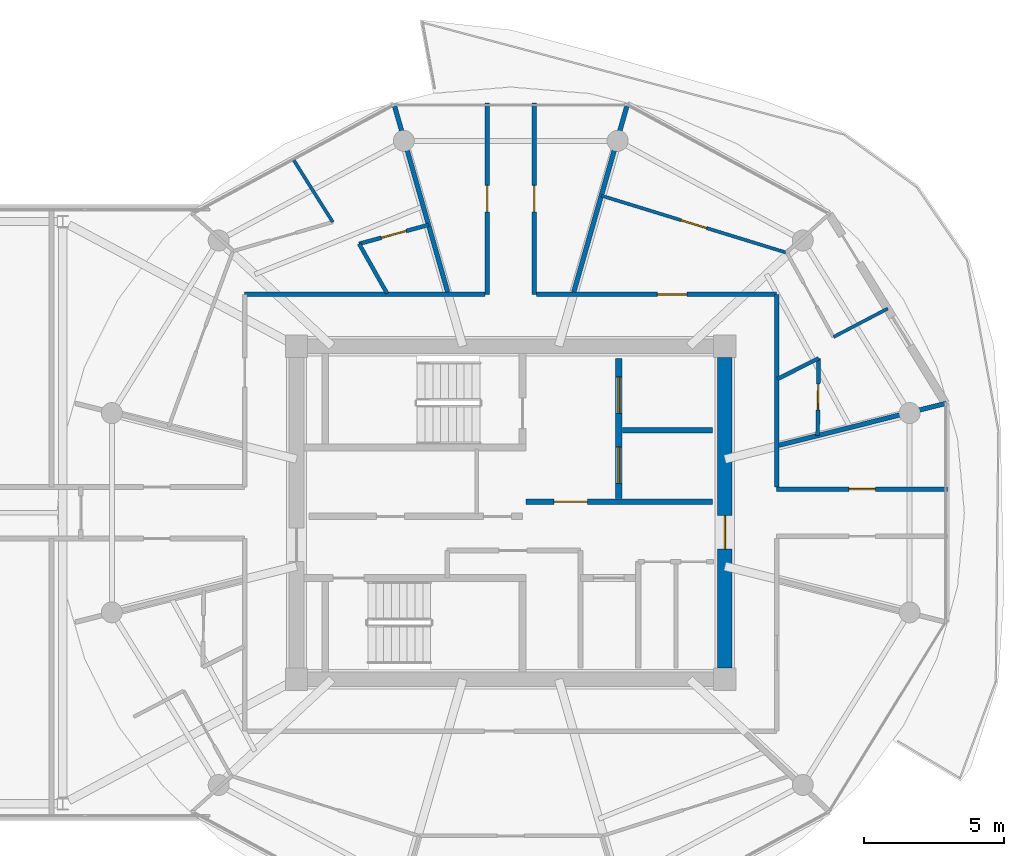
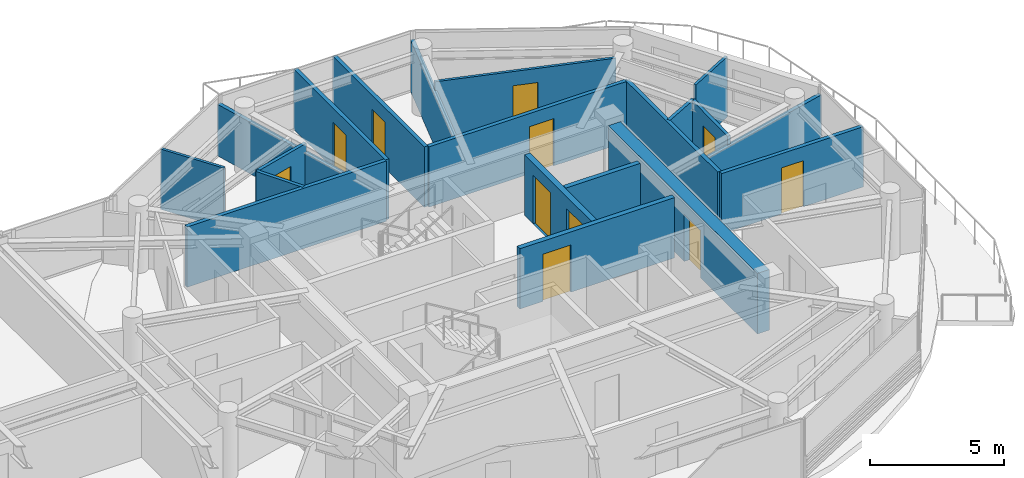
# One storey, part 18 of 24: 20 walls, 11 doors, 11 openings.
"""IFC4 building model written with IfcOpenShell, lengths in metres."""

from ifc_helpers import new_model, si_unit, direction, frame, frame_2d, origin, place, context, subcontext, project, spatial, rectangle, extrude, source, transform, mapped, material, layer, layer_set, type_object, type_shapes, element, fill, save


model = new_model("IFC4")

# Units and contexts
model_context = context("Model", 3, precision=1e-05, world=origin(), true_north=direction((0.0, 1.0)))
body_context = subcontext(model_context, "Body", "Model", "MODEL_VIEW")
ifc_project = project(units=[si_unit("LENGTHUNIT", "METRE"), si_unit("AREAUNIT", "SQUARE_METRE"), si_unit("VOLUMEUNIT", "CUBIC_METRE"), si_unit("PLANEANGLEUNIT", "RADIAN"), si_unit("MASSUNIT", "GRAM", prefix="KILO")], contexts=[model_context])

# Site, building, storey
site_placement = place(None, origin())
site = spatial("IfcSite", under=ifc_project, at=site_placement, CompositionType="ELEMENT")
building_placement = place(site_placement, origin())
building = spatial("IfcBuilding", under=site, at=building_placement, Name="Norrkilde Senior Care Towers", CompositionType="ELEMENT")
storey_placement = place(building_placement, frame((0.0, 0.0, 223.050048828125)))
storey = spatial("IfcBuildingStorey", under=building, at=storey_placement, Name="L69", CompositionType="ELEMENT", Elevation=223.050048828125)

# Wall, opening, door
ifc_material_1 = material(Name="Concrete C50/60", Category="concrete")
ifc_layer_1 = layer(ifc_material_1, 0.52001953125)
ifc_layer_set_1 = layer_set([ifc_layer_1], Name="Concrete C50/60")
wall_type_1 = type_object("IfcWallType", Name="Core Shear Wall Z4 520", PredefinedType="SHEAR", material=ifc_layer_set_1)
shared_shape_1 = source(origin(), body_context, "Body", "SweptSolid", [
    extrude(rectangle(XDim=11.10009765625, YDim=0.52001953125, at=frame_2d((5.550048828125, 0.0))), origin(), (0.0, 0.0, 1.0), 2.760009765625),
])
type_shapes(wall_type_1, [shared_shape_1])
wall_1_placement = place(storey_placement, frame((35.64990234375, 5.550048828125, 0.0), z_axis=(0.0, 0.0, 1.0), x_axis=(0.0, -1.0, 0.0)))
wall_1 = element("IfcWall", 1, at=wall_1_placement, inside=storey, type_object=wall_type_1, Name="L69 Core E East Shear Wall", PredefinedType="SHEAR", context=body_context, shape_type="MappedRepresentation", body=[
    mapped(shared_shape_1, transform((0.0, 0.0, 0.0), x_axis=(1.0, 0.0, 0.0), y_axis=(0.0, 1.0, 0.0), z_axis=(0.0, 0.0, 1.0), scale=1.0)),
])
opening_1_placement = place(wall_1_placement, frame((5.64990234375, 0.0, 0.0)))
opening_1 = element("IfcOpeningElement", 2, at=opening_1_placement, cuts=wall_1, Name="Opening D-04", PredefinedType="OPENING", context=body_context, shape_type="SweptSolid", body=[
    extrude(rectangle(XDim=1.199951171875, YDim=2.14990234375, at=frame_2d((0.60009765625, 1.074951171875))), frame((0.0, 0.27001953125, 0.0), z_axis=(0.0, -1.0, 0.0), x_axis=(1.0, 0.0, 0.0)), (0.0, 0.0, 1.0), 0.5400390625),
])
ifc_material_2 = material(Name="Galvanised Painted Steel", Category="steel")
door_type_1 = type_object("IfcDoorType", Name="Firefighting Lobby Fire Door 1200x2150", OperationType="NOTDEFINED", PredefinedType="DOOR", material=ifc_material_2)
shared_shape_2 = source(origin(), body_context, "Body", "SweptSolid", [
    extrude(rectangle(XDim=1.199951171875, YDim=2.14990234375, at=frame_2d((0.60009765625, 1.074951171875))), frame((0.0, 0.02490234375, 0.0), z_axis=(0.0, -1.0, 0.0), x_axis=(1.0, 0.0, 0.0)), (0.0, 0.0, 1.0), 0.050048828125),
])
type_shapes(door_type_1, [shared_shape_2])
door_1_placement = place(opening_1_placement, frame((1.199951171875, 0.0, 0.0), z_axis=(0.0, 0.0, 1.0), x_axis=(-1.0, 0.0, 0.0)))
door_1 = element("IfcDoor", 3, at=door_1_placement, inside=storey, type_object=door_type_1, Name="L69 Core E East Portal Door", OperationType="SINGLE_SWING_RIGHT", OverallHeight=2.14990234375, OverallWidth=1.199951171875, PredefinedType="DOOR", context=body_context, shape_type="MappedRepresentation", body=[
    mapped(shared_shape_2, transform((0.0, 0.0, 0.0), x_axis=(1.0, 0.0, 0.0), y_axis=(0.0, 1.0, 0.0), z_axis=(0.0, 0.0, 1.0), scale=1.0)),
])
fill(opening_1, door_1)

# Walls
ifc_material_3 = material(Name="Gypsum Acoustic Board")
ifc_layer_2 = layer(ifc_material_3, 0.1650390625)
ifc_layer_set_2 = layer_set([ifc_layer_2], Name="Gypsum Acoustic Board")
wall_type_2 = type_object("IfcWallType", Name="Corridor Rated Partition 165", PredefinedType="PARTITIONING", material=ifc_layer_set_2)
shared_shape_3 = source(origin(), body_context, "Body", "SweptSolid", [
    extrude(rectangle(XDim=6.973876953125, YDim=0.1650390625, at=frame_2d((3.48681640625, 0.0))), origin(), (0.0, 0.0, 1.0), 2.344970703125),
])
for number, where, z_axis, x_axis, name in (
    (4, (30.251220703125, 7.8798828125, 0.0), (0.0, 0.0, 1.0), (0.274707256801, 0.961527910703, 0.0), "WL-INT-L69-E-DEM-02-0"),
    (5, (25.748779296875, 7.8798828125, 0.0), (0.0, 0.0, 1.0), (-0.274707256801, 0.961527910703, 0.0), "WL-INT-L69-E-DEM-03-0"),
):
    element("IfcWall", number, at=place(storey_placement, frame(where, z_axis=z_axis, x_axis=x_axis)), inside=storey, type_object=wall_type_2, Name=name, PredefinedType="PARTITIONING", context=body_context, shape_type="MappedRepresentation", body=[
        mapped(shared_shape_3, transform((0.0, 0.0, 0.0), x_axis=(1.0, 0.0, 0.0), y_axis=(0.0, 1.0, 0.0), z_axis=(0.0, 0.0, 1.0), scale=1.0)),
    ])
shared_shape_4 = source(origin(), body_context, "Body", "SweptSolid", [
    extrude(rectangle(XDim=6.1572265625, YDim=0.1650390625, at=frame_2d((3.07861328125, 0.0))), origin(), (0.0, 0.0, 1.0), 2.344970703125),
])
wall_2_placement = place(storey_placement, frame((37.580078125, 2.407470703125, 0.0), z_axis=(0.0, 0.0, 1.0), x_axis=(0.969840867184, 0.243738984038, 0.0)))
element("IfcWall", 6, at=wall_2_placement, inside=storey, type_object=wall_type_2, Name="WL-INT-L69-E-DEM-00-0", PredefinedType="PARTITIONING", context=body_context, shape_type="MappedRepresentation", body=[
    mapped(shared_shape_4, transform((0.0, 0.0, 0.0), x_axis=(1.0, 0.0, 0.0), y_axis=(0.0, 1.0, 0.0), z_axis=(0.0, 0.0, 1.0), scale=1.0)),
])

# Wall, openings, doors
ifc_material_4 = material(Name="Concrete C45/55", Category="concrete")
ifc_layer_3 = layer(ifc_material_4, 0.239990234375)
ifc_layer_set_3 = layer_set([ifc_layer_3], Name="Concrete C45/55")
wall_type_3 = type_object("IfcWallType", Name="Lift and Plant Rated Enclosure Partition 240", PredefinedType="PARTITIONING", material=ifc_layer_set_3)
shared_shape_5 = source(origin(), body_context, "Body", "SweptSolid", [
    extrude(rectangle(XDim=5.0, YDim=0.239990234375, at=frame_2d((2.5, 0.0))), origin(), (0.0, 0.0, 1.0), 2.744873046875),
])
type_shapes(wall_type_3, [shared_shape_5])
wall_3_placement = place(storey_placement, frame((31.860107421875, 0.5, 0.0), z_axis=(0.0, 0.0, 1.0), x_axis=(0.0, 1.0, 0.0)))
wall_3 = element("IfcWall", 7, at=wall_3_placement, inside=storey, type_object=wall_type_3, Name="WL-INT-L69-E-FFLE", PredefinedType="PARTITIONING", context=body_context, shape_type="MappedRepresentation", body=[
    mapped(shared_shape_5, transform((0.0, 0.0, 0.0), x_axis=(1.0, 0.0, 0.0), y_axis=(0.0, 1.0, 0.0), z_axis=(0.0, 0.0, 1.0), scale=1.0)),
])
opening_2_placement = place(wall_3_placement, frame((3.050048828125, 0.0, 0.0)))
opening_2 = element("IfcOpeningElement", 8, at=opening_2_placement, cuts=wall_3, Name="Opening LD-02", PredefinedType="OPENING", context=body_context, shape_type="SweptSolid", body=[
    extrude(rectangle(XDim=1.300048828125, YDim=2.199951171875, at=frame_2d((0.64990234375, 1.10009765625))), frame((0.0, 0.1298828125, 0.0), z_axis=(0.0, -1.0, 0.0), x_axis=(1.0, 0.0, 0.0)), (0.0, 0.0, 1.0), 0.260009765625),
])
opening_3_placement = place(wall_3_placement, frame((0.550048828125, 0.0, 0.0)))
opening_3 = element("IfcOpeningElement", 9, at=opening_3_placement, cuts=wall_3, Name="Opening LD-02", PredefinedType="OPENING", context=body_context, shape_type="SweptSolid", body=[
    extrude(rectangle(XDim=1.300048828125, YDim=2.199951171875, at=frame_2d((0.64990234375, 1.10009765625))), frame((0.0, 0.1298828125, 0.0), z_axis=(0.0, -1.0, 0.0), x_axis=(1.0, 0.0, 0.0)), (0.0, 0.0, 1.0), 0.260009765625),
])
ifc_material_5 = material(Name="Stainless Steel", Category="steel")
door_type_2 = type_object("IfcDoorType", Name="Stretcher and FFL Landing Sliding Door 1300x2200", OperationType="NOTDEFINED", PredefinedType="DOOR", material=ifc_material_5)
shared_shape_6 = source(origin(), body_context, "Body", "SweptSolid", [
    extrude(rectangle(XDim=1.300048828125, YDim=2.199951171875, at=frame_2d((0.64990234375, 1.10009765625))), frame((0.0, 0.02490234375, 0.0), z_axis=(0.0, -1.0, 0.0), x_axis=(1.0, 0.0, 0.0)), (0.0, 0.0, 1.0), 0.050048828125),
])
type_shapes(door_type_2, [shared_shape_6])
door_2_placement = place(opening_2_placement, origin())
door_2 = element("IfcDoor", 10, at=door_2_placement, inside=storey, type_object=door_type_2, Name="L69 Firefighting Lift E1 Landing Door", OperationType="SLIDING_TO_LEFT", OverallHeight=2.199951171875, OverallWidth=1.300048828125, PredefinedType="DOOR", context=body_context, shape_type="MappedRepresentation", body=[
    mapped(shared_shape_6, transform((0.0, 0.0, 0.0), x_axis=(1.0, 0.0, 0.0), y_axis=(0.0, 1.0, 0.0), z_axis=(0.0, 0.0, 1.0), scale=1.0)),
])
fill(opening_2, door_2)
door_3_placement = place(opening_3_placement, origin())
door_3 = element("IfcDoor", 11, at=door_3_placement, inside=storey, type_object=door_type_2, Name="L69 Stretcher Lift E1 Landing Door", OperationType="SLIDING_TO_RIGHT", OverallHeight=2.199951171875, OverallWidth=1.300048828125, PredefinedType="DOOR", context=body_context, shape_type="MappedRepresentation", body=[
    mapped(shared_shape_6, transform((0.0, 0.0, 0.0), x_axis=(1.0, 0.0, 0.0), y_axis=(0.0, 1.0, 0.0), z_axis=(0.0, 0.0, 1.0), scale=1.0)),
])
fill(opening_3, door_3)

# Wall
ifc_layer_4 = layer(ifc_material_4, 0.199951171875)
ifc_layer_set_4 = layer_set([ifc_layer_4], Name="Concrete C45/55")
wall_type_4 = type_object("IfcWallType", Name="Shaft Division and Plant Partition 200", PredefinedType="PARTITIONING", material=ifc_layer_set_4)
shared_shape_7 = source(origin(), body_context, "Body", "SweptSolid", [
    extrude(rectangle(XDim=3.199951171875, YDim=0.199951171875, at=frame_2d((1.60009765625, 0.0))), origin(), (0.0, 0.0, 1.0), 2.744873046875),
])
type_shapes(wall_type_4, [shared_shape_7])
wall_4_placement = place(storey_placement, frame((32.0, 2.949951171875, 0.0), z_axis=(0.0, 0.0, 1.0), x_axis=(1.0, 0.0, 0.0)))
element("IfcWall", 12, at=wall_4_placement, inside=storey, type_object=wall_type_4, Name="WL-INT-L69-E-FFLDIV", PredefinedType="PARTITIONING", context=body_context, shape_type="MappedRepresentation", body=[
    mapped(shared_shape_7, transform((0.0, 0.0, 0.0), x_axis=(1.0, 0.0, 0.0), y_axis=(0.0, 1.0, 0.0), z_axis=(0.0, 0.0, 1.0), scale=1.0)),
])

# Wall, opening, door
ifc_layer_5 = layer(ifc_material_4, 0.2099609375)
ifc_layer_set_5 = layer_set([ifc_layer_5], Name="Concrete C45/55")
wall_type_5 = type_object("IfcWallType", Name="Firefighting Lobby Wall 210", PredefinedType="PARTITIONING", material=ifc_layer_set_5)
shared_shape_8 = source(origin(), body_context, "Body", "SweptSolid", [
    extrude(rectangle(XDim=6.659912109375, YDim=0.2099609375, at=frame_2d((3.330078125, 0.0))), origin(), (0.0, 0.0, 1.0), 2.744873046875),
])
type_shapes(wall_type_5, [shared_shape_8])
wall_5_placement = place(storey_placement, frame((28.5400390625, 0.389892578125, 0.0), z_axis=(0.0, 0.0, 1.0), x_axis=(1.0, 0.0, 0.0)))
wall_5 = element("IfcWall", 13, at=wall_5_placement, inside=storey, type_object=wall_type_5, Name="WL-INT-L69-E-FFLS", PredefinedType="PARTITIONING", context=body_context, shape_type="MappedRepresentation", body=[
    mapped(shared_shape_8, transform((0.0, 0.0, 0.0), x_axis=(1.0, 0.0, 0.0), y_axis=(0.0, 1.0, 0.0), z_axis=(0.0, 0.0, 1.0), scale=1.0)),
])
opening_4_placement = place(wall_5_placement, frame((1.0, 0.0, 0.0)))
opening_4 = element("IfcOpeningElement", 14, at=opening_4_placement, cuts=wall_5, Name="Opening D-04", PredefinedType="OPENING", context=body_context, shape_type="SweptSolid", body=[
    extrude(rectangle(XDim=1.199951171875, YDim=2.14990234375, at=frame_2d((0.60009765625, 1.074951171875))), frame((0.0, 0.114990234375, 0.0), z_axis=(0.0, -1.0, 0.0), x_axis=(1.0, 0.0, 0.0)), (0.0, 0.0, 1.0), 0.22998046875),
])
door_4_placement = place(opening_4_placement, frame((1.199951171875, 0.0, 0.0), z_axis=(0.0, 0.0, 1.0), x_axis=(-1.0, 0.0, 0.0)))
door_4 = element("IfcDoor", 15, at=door_4_placement, inside=storey, type_object=door_type_1, Name="L69 Firefighting Lobby E Door", OperationType="SINGLE_SWING_LEFT", OverallHeight=2.14990234375, OverallWidth=1.199951171875, PredefinedType="DOOR", context=body_context, shape_type="MappedRepresentation", body=[
    mapped(shared_shape_2, transform((0.0, 0.0, 0.0), x_axis=(1.0, 0.0, 0.0), y_axis=(0.0, 1.0, 0.0), z_axis=(0.0, 0.0, 1.0), scale=1.0)),
])
fill(opening_4, door_4)

# Wall
shared_shape_9 = source(origin(), body_context, "Body", "SweptSolid", [
    extrude(rectangle(XDim=8.580078125, YDim=0.1650390625, at=frame_2d((4.2900390625, 0.0))), origin(), (0.0, 0.0, 1.0), 2.744873046875),
])
wall_6_placement = place(storey_placement, frame((18.5, 7.800048828125, 0.0), z_axis=(0.0, 0.0, 1.0), x_axis=(1.0, 0.0, 0.0)))
element("IfcWall", 16, at=wall_6_placement, inside=storey, type_object=wall_type_2, Name="WL-INT-L69-E-CRW-N-0", PredefinedType="PARTITIONING", context=body_context, shape_type="MappedRepresentation", body=[
    mapped(shared_shape_9, transform((0.0, 0.0, 0.0), x_axis=(1.0, 0.0, 0.0), y_axis=(0.0, 1.0, 0.0), z_axis=(0.0, 0.0, 1.0), scale=1.0)),
])

# Wall, opening, door
wall_7_placement = place(storey_placement, frame((28.919921875, 7.800048828125, 0.0), z_axis=(0.0, 0.0, 1.0), x_axis=(1.0, 0.0, 0.0)))
wall_7 = element("IfcWall", 17, at=wall_7_placement, inside=storey, type_object=wall_type_2, Name="WL-INT-L69-E-CRW-N-1", PredefinedType="PARTITIONING", context=body_context, shape_type="MappedRepresentation", body=[
    mapped(shared_shape_9, transform((0.0, 0.0, 0.0), x_axis=(1.0, 0.0, 0.0), y_axis=(0.0, 1.0, 0.0), z_axis=(0.0, 0.0, 1.0), scale=1.0)),
])
opening_5_placement = place(wall_7_placement, frame((4.31982421875, 0.0, 0.0)))
opening_5 = element("IfcOpeningElement", 18, at=opening_5_placement, cuts=wall_7, Name="Opening D-06", PredefinedType="OPENING", context=body_context, shape_type="SweptSolid", body=[
    extrude(rectangle(XDim=1.050048828125, YDim=2.14990234375, at=frame_2d((0.52490234375, 1.074951171875))), frame((0.0, 0.092529296875, 0.0), z_axis=(0.0, -1.0, 0.0), x_axis=(1.0, 0.0, 0.0)), (0.0, 0.0, 1.0), 0.18505859375),
])
ifc_material_6 = material(Name="Nordic Ash Timber", Category="wood")
door_type_3 = type_object("IfcDoorType", Name="Apartment Entrance Fire Door 1050x2150", OperationType="NOTDEFINED", PredefinedType="DOOR", material=ifc_material_6)
shared_shape_10 = source(origin(), body_context, "Body", "SweptSolid", [
    extrude(rectangle(XDim=1.050048828125, YDim=2.14990234375, at=frame_2d((0.52490234375, 1.074951171875))), frame((0.0, 0.02490234375, 0.0), z_axis=(0.0, -1.0, 0.0), x_axis=(1.0, 0.0, 0.0)), (0.0, 0.0, 1.0), 0.050048828125),
])
type_shapes(door_type_3, [shared_shape_10])
door_5_placement = place(opening_5_placement, frame((1.050048828125, 0.0, 0.0), z_axis=(0.0, 0.0, 1.0), x_axis=(-1.0, 0.0, 0.0)))
door_5 = element("IfcDoor", 19, at=door_5_placement, inside=storey, type_object=door_type_3, Name="Apartment 69A Entrance Door", OperationType="SINGLE_SWING_LEFT", OverallHeight=2.14990234375, OverallWidth=1.050048828125, PredefinedType="DOOR", context=body_context, shape_type="MappedRepresentation", body=[
    mapped(shared_shape_10, transform((0.0, 0.0, 0.0), x_axis=(1.0, 0.0, 0.0), y_axis=(0.0, 1.0, 0.0), z_axis=(0.0, 0.0, 1.0), scale=1.0)),
])
fill(opening_5, door_5)

# Wall
shared_shape_11 = source(origin(), body_context, "Body", "SweptSolid", [
    extrude(rectangle(XDim=6.880126953125, YDim=0.1650390625, at=frame_2d((3.43994140625, 0.0))), origin(), (0.0, 0.0, 1.0), 2.744873046875),
])
wall_8_placement = place(storey_placement, frame((37.5, 7.800048828125, 0.0), z_axis=(0.0, 0.0, 1.0), x_axis=(0.0, -1.0, 0.0)))
element("IfcWall", 20, at=wall_8_placement, inside=storey, type_object=wall_type_2, Name="WL-INT-L69-E-CRW-E-0", PredefinedType="PARTITIONING", context=body_context, shape_type="MappedRepresentation", body=[
    mapped(shared_shape_11, transform((0.0, 0.0, 0.0), x_axis=(1.0, 0.0, 0.0), y_axis=(0.0, 1.0, 0.0), z_axis=(0.0, 0.0, 1.0), scale=1.0)),
])

# Wall, opening, door
shared_shape_12 = source(origin(), body_context, "Body", "SweptSolid", [
    extrude(rectangle(XDim=6.83544921875, YDim=0.1650390625, at=frame_2d((3.417724609375, 0.0))), origin(), (0.0, 0.0, 1.0), 2.744873046875),
])
wall_9_placement = place(storey_placement, frame((27.159912109375, 7.800048828125, 0.0), z_axis=(0.0, 0.0, 1.0), x_axis=(0.0, 1.0, 0.0)))
wall_9 = element("IfcWall", 21, at=wall_9_placement, inside=storey, type_object=wall_type_2, Name="WL-INT-L69-E-SPK-N1-0", PredefinedType="PARTITIONING", context=body_context, shape_type="MappedRepresentation", body=[
    mapped(shared_shape_12, transform((0.0, 0.0, 0.0), x_axis=(1.0, 0.0, 0.0), y_axis=(0.0, 1.0, 0.0), z_axis=(0.0, 0.0, 1.0), scale=1.0)),
])
opening_6_placement = place(wall_9_placement, frame((2.942626953125, 0.0, 0.0)))
opening_6 = element("IfcOpeningElement", 22, at=opening_6_placement, cuts=wall_9, Name="Opening D-07", PredefinedType="OPENING", context=body_context, shape_type="SweptSolid", body=[
    extrude(rectangle(XDim=0.949951171875, YDim=2.10009765625, at=frame_2d((0.47509765625, 1.050048828125))), frame((0.0, 0.092529296875, 0.0), z_axis=(0.0, -1.0, 0.0), x_axis=(1.0, 0.0, 0.0)), (0.0, 0.0, 1.0), 0.18505859375),
])
door_type_4 = type_object("IfcDoorType", Name="Internal Suite Bedroom Door 950x2100", OperationType="NOTDEFINED", PredefinedType="DOOR", material=ifc_material_6)
shared_shape_13 = source(origin(), body_context, "Body", "SweptSolid", [
    extrude(rectangle(XDim=0.949951171875, YDim=2.10009765625, at=frame_2d((0.47509765625, 1.050048828125))), frame((0.0, 0.02490234375, 0.0), z_axis=(0.0, -1.0, 0.0), x_axis=(1.0, 0.0, 0.0)), (0.0, 0.0, 1.0), 0.050048828125),
])
type_shapes(door_type_4, [shared_shape_13])
door_6_placement = place(opening_6_placement, frame((0.949951171875, 0.0, 0.0), z_axis=(0.0, 0.0, 1.0), x_axis=(-1.0, 0.0, 0.0)))
door_6 = element("IfcDoor", 23, at=door_6_placement, inside=storey, type_object=door_type_4, Name="L69 Sun Reading Lounge 3 Door", OperationType="SINGLE_SWING_RIGHT", OverallHeight=2.10009765625, OverallWidth=0.949951171875, PredefinedType="DOOR", context=body_context, shape_type="MappedRepresentation", body=[
    mapped(shared_shape_13, transform((0.0, 0.0, 0.0), x_axis=(1.0, 0.0, 0.0), y_axis=(0.0, 1.0, 0.0), z_axis=(0.0, 0.0, 1.0), scale=1.0)),
])
fill(opening_6, door_6)

wall_10_placement = place(storey_placement, frame((28.840087890625, 14.635498046875, 0.0), z_axis=(0.0, 0.0, 1.0), x_axis=(0.0, -1.0, 0.0)))
wall_10 = element("IfcWall", 24, at=wall_10_placement, inside=storey, type_object=wall_type_2, Name="WL-INT-L69-E-SPK-N2-0", PredefinedType="PARTITIONING", context=body_context, shape_type="MappedRepresentation", body=[
    mapped(shared_shape_12, transform((0.0, 0.0, 0.0), x_axis=(1.0, 0.0, 0.0), y_axis=(0.0, 1.0, 0.0), z_axis=(0.0, 0.0, 1.0), scale=1.0)),
])
opening_7_placement = place(wall_10_placement, frame((2.942626953125, 0.0, 0.0)))
opening_7 = element("IfcOpeningElement", 25, at=opening_7_placement, cuts=wall_10, Name="Opening D-07", PredefinedType="OPENING", context=body_context, shape_type="SweptSolid", body=[
    extrude(rectangle(XDim=0.949951171875, YDim=2.10009765625, at=frame_2d((0.47509765625, 1.050048828125))), frame((0.0, 0.092529296875, 0.0), z_axis=(0.0, -1.0, 0.0), x_axis=(1.0, 0.0, 0.0)), (0.0, 0.0, 1.0), 0.18505859375),
])
door_7_placement = place(opening_7_placement, frame((0.949951171875, 0.0, 0.0), z_axis=(0.0, 0.0, 1.0), x_axis=(-1.0, 0.0, 0.0)))
door_7 = element("IfcDoor", 26, at=door_7_placement, inside=storey, type_object=door_type_4, Name="L69 Sun Reading Lounge 4 Door", OperationType="SINGLE_SWING_LEFT", OverallHeight=2.10009765625, OverallWidth=0.949951171875, PredefinedType="DOOR", context=body_context, shape_type="MappedRepresentation", body=[
    mapped(shared_shape_13, transform((0.0, 0.0, 0.0), x_axis=(1.0, 0.0, 0.0), y_axis=(0.0, 1.0, 0.0), z_axis=(0.0, 0.0, 1.0), scale=1.0)),
])
fill(opening_7, door_7)

shared_shape_14 = source(origin(), body_context, "Body", "SweptSolid", [
    extrude(rectangle(XDim=6.101318359375, YDim=0.1650390625, at=frame_2d((3.05078125, 0.0))), origin(), (0.0, 0.0, 1.0), 2.744873046875),
])
type_shapes(wall_type_2, [shared_shape_3, shared_shape_4, shared_shape_9, shared_shape_11, shared_shape_12, shared_shape_14])
wall_11_placement = place(storey_placement, frame((37.5, 0.840087890625, 0.0), z_axis=(0.0, 0.0, 1.0), x_axis=(1.0, 0.0, 0.0)))
wall_11 = element("IfcWall", 27, at=wall_11_placement, inside=storey, type_object=wall_type_2, Name="WL-INT-L69-E-SPK-E1-0", PredefinedType="PARTITIONING", context=body_context, shape_type="MappedRepresentation", body=[
    mapped(shared_shape_14, transform((0.0, 0.0, 0.0), x_axis=(1.0, 0.0, 0.0), y_axis=(0.0, 1.0, 0.0), z_axis=(0.0, 0.0, 1.0), scale=1.0)),
])
opening_8_placement = place(wall_11_placement, frame((2.57568359375, 0.0, 0.0)))
opening_8 = element("IfcOpeningElement", 28, at=opening_8_placement, cuts=wall_11, Name="Opening D-07", PredefinedType="OPENING", context=body_context, shape_type="SweptSolid", body=[
    extrude(rectangle(XDim=0.949951171875, YDim=2.10009765625, at=frame_2d((0.47509765625, 1.050048828125))), frame((0.0, 0.092529296875, 0.0), z_axis=(0.0, -1.0, 0.0), x_axis=(1.0, 0.0, 0.0)), (0.0, 0.0, 1.0), 0.18505859375),
])
door_8_placement = place(opening_8_placement, frame((0.949951171875, 0.0, 0.0), z_axis=(0.0, 0.0, 1.0), x_axis=(-1.0, 0.0, 0.0)))
door_8 = element("IfcDoor", 29, at=door_8_placement, inside=storey, type_object=door_type_4, Name="L69 Sun Reading Lounge 6 Door", OperationType="SINGLE_SWING_LEFT", OverallHeight=2.10009765625, OverallWidth=0.949951171875, PredefinedType="DOOR", context=body_context, shape_type="MappedRepresentation", body=[
    mapped(shared_shape_13, transform((0.0, 0.0, 0.0), x_axis=(1.0, 0.0, 0.0), y_axis=(0.0, 1.0, 0.0), z_axis=(0.0, 0.0, 1.0), scale=1.0)),
])
fill(opening_8, door_8)

# Wall
ifc_layer_6 = layer(ifc_material_3, 0.139892578125)
ifc_layer_set_6 = layer_set([ifc_layer_6], Name="Gypsum Acoustic Board")
wall_type_6 = type_object("IfcWallType", Name="En-suite Wet Room Wall 140", PredefinedType="PARTITIONING", material=ifc_layer_set_6)
shared_shape_15 = source(origin(), body_context, "Body", "SweptSolid", [
    extrude(rectangle(XDim=1.638427734375, YDim=0.139892578125, at=frame_2d((0.8193359375, 0.0))), origin(), (0.0, 0.0, 1.0), 2.744873046875),
])
wall_12_placement = place(storey_placement, frame((37.530029296875, 4.7783203125, 0.0), z_axis=(0.0, 0.0, 1.0), x_axis=(0.893919977945, 0.448226586707, 0.0)))
element("IfcWall", 30, at=wall_12_placement, inside=storey, type_object=wall_type_6, Name="WL-INT-L69-E-UBTS-00", PredefinedType="PARTITIONING", context=body_context, shape_type="MappedRepresentation", body=[
    mapped(shared_shape_15, transform((0.0, 0.0, 0.0), x_axis=(1.0, 0.0, 0.0), y_axis=(0.0, 1.0, 0.0), z_axis=(0.0, 0.0, 1.0), scale=1.0)),
])

# Wall, opening, door
shared_shape_16 = source(origin(), body_context, "Body", "SweptSolid", [
    extrude(rectangle(XDim=2.7587890625, YDim=0.139892578125, at=frame_2d((1.37939453125, 0.0))), origin(), (0.0, 0.0, 1.0), 2.744873046875),
])
wall_13_placement = place(storey_placement, frame((38.99462890625, 5.5126953125, 0.0), z_axis=(0.0, 0.0, 1.0), x_axis=(-0.01194710728, -0.999928630767, 0.0)))
wall_13 = element("IfcWall", 31, at=wall_13_placement, inside=storey, type_object=wall_type_6, Name="WL-INT-L69-E-UBTF-00", PredefinedType="PARTITIONING", context=body_context, shape_type="MappedRepresentation", body=[
    mapped(shared_shape_16, transform((0.0, 0.0, 0.0), x_axis=(1.0, 0.0, 0.0), y_axis=(0.0, 1.0, 0.0), z_axis=(0.0, 0.0, 1.0), scale=1.0)),
])
opening_9_placement = place(wall_13_placement, frame((0.91943359375, 0.0, 0.0)))
opening_9 = element("IfcOpeningElement", 32, at=opening_9_placement, cuts=wall_13, Name="Opening D-08", PredefinedType="OPENING", context=body_context, shape_type="SweptSolid", body=[
    extrude(rectangle(XDim=0.919921875, YDim=2.10009765625, at=frame_2d((0.4599609375, 1.050048828125))), frame((0.0, 0.079833984375, 0.0), z_axis=(0.0, -1.0, 0.0), x_axis=(1.0, 0.0, 0.0)), (0.0, 0.0, 1.0), 0.159912109375),
])
door_type_5 = type_object("IfcDoorType", Name="Accessible Wet Room Door 920x2100", OperationType="NOTDEFINED", PredefinedType="DOOR", material=ifc_material_6)
shared_shape_17 = source(origin(), body_context, "Body", "SweptSolid", [
    extrude(rectangle(XDim=0.919921875, YDim=2.10009765625, at=frame_2d((0.4599609375, 1.050048828125))), frame((0.0, 0.02490234375, 0.0), z_axis=(0.0, -1.0, 0.0), x_axis=(1.0, 0.0, 0.0)), (0.0, 0.0, 1.0), 0.050048828125),
])
type_shapes(door_type_5, [shared_shape_17])
door_9_placement = place(opening_9_placement, origin())
door_9 = element("IfcDoor", 33, at=door_9_placement, inside=storey, type_object=door_type_5, Name="Apartment 69A Bathroom Door", OperationType="SINGLE_SWING_RIGHT", OverallHeight=2.10009765625, OverallWidth=0.919921875, PredefinedType="DOOR", context=body_context, shape_type="MappedRepresentation", body=[
    mapped(shared_shape_17, transform((0.0, 0.0, 0.0), x_axis=(1.0, 0.0, 0.0), y_axis=(0.0, 1.0, 0.0), z_axis=(0.0, 0.0, 1.0), scale=1.0)),
])
fill(opening_9, door_9)

# Wall
shared_shape_18 = source(origin(), body_context, "Body", "SweptSolid", [
    extrude(rectangle(XDim=2.035400390625, YDim=0.139892578125, at=frame_2d((1.017578125, 0.0))), origin(), (0.0, 0.0, 1.0), 2.744873046875),
])
wall_14_placement = place(storey_placement, frame((23.5849609375, 7.830078125, 0.0), z_axis=(0.0, 0.0, 1.0), x_axis=(-0.491092509169, 0.871107425888, 0.0)))
element("IfcWall", 34, at=wall_14_placement, inside=storey, type_object=wall_type_6, Name="WL-INT-L69-E-UBTS-03", PredefinedType="PARTITIONING", context=body_context, shape_type="MappedRepresentation", body=[
    mapped(shared_shape_18, transform((0.0, 0.0, 0.0), x_axis=(1.0, 0.0, 0.0), y_axis=(0.0, 1.0, 0.0), z_axis=(0.0, 0.0, 1.0), scale=1.0)),
])

# Wall, opening, door
ifc_layer_7 = layer(ifc_material_3, 0.114990234375)
ifc_layer_set_7 = layer_set([ifc_layer_7], Name="Gypsum Acoustic Board")
wall_type_7 = type_object("IfcWallType", Name="Internal Room Partition 115", PredefinedType="PARTITIONING", material=ifc_layer_set_7)
shared_shape_19 = source(origin(), body_context, "Body", "SweptSolid", [
    extrude(rectangle(XDim=6.919189453125, YDim=0.114990234375, at=frame_2d((3.45947265625, 0.0))), origin(), (0.0, 0.0, 1.0), 2.744873046875),
])
wall_15_placement = place(storey_placement, frame((37.8486328125, 9.287109375, 0.0), z_axis=(0.0, 0.0, 1.0), x_axis=(-0.955678249072, 0.294413118341, 0.0)))
wall_15 = element("IfcWall", 35, at=wall_15_placement, inside=storey, type_object=wall_type_7, Name="WL-INT-L69-E-UBC-00-1", PredefinedType="PARTITIONING", context=body_context, shape_type="MappedRepresentation", body=[
    mapped(shared_shape_19, transform((0.0, 0.0, 0.0), x_axis=(1.0, 0.0, 0.0), y_axis=(0.0, 1.0, 0.0), z_axis=(0.0, 0.0, 1.0), scale=1.0)),
])
opening_10_placement = place(wall_15_placement, frame((2.984619140625, 0.0, 0.0)))
opening_10 = element("IfcOpeningElement", 36, at=opening_10_placement, cuts=wall_15, Name="Opening D-07", PredefinedType="OPENING", context=body_context, shape_type="SweptSolid", body=[
    extrude(rectangle(XDim=0.949951171875, YDim=2.10009765625, at=frame_2d((0.47509765625, 1.050048828125))), frame((0.0, 0.0673828125, 0.0), z_axis=(0.0, -1.0, 0.0), x_axis=(1.0, 0.0, 0.0)), (0.0, 0.0, 1.0), 0.135009765625),
])
door_10_placement = place(opening_10_placement, origin())
door_10 = element("IfcDoor", 37, at=door_10_placement, inside=storey, type_object=door_type_4, Name="Apartment 69A Bedroom 1 Door", OperationType="SINGLE_SWING_RIGHT", OverallHeight=2.10009765625, OverallWidth=0.949951171875, PredefinedType="DOOR", context=body_context, shape_type="MappedRepresentation", body=[
    mapped(shared_shape_13, transform((0.0, 0.0, 0.0), x_axis=(1.0, 0.0, 0.0), y_axis=(0.0, 1.0, 0.0), z_axis=(0.0, 0.0, 1.0), scale=1.0)),
])
fill(opening_10, door_10)

# Wall
shared_shape_20 = source(origin(), body_context, "Body", "SweptSolid", [
    extrude(rectangle(XDim=2.193115234375, YDim=0.114990234375, at=frame_2d((1.0966796875, 0.0))), origin(), (0.0, 0.0, 1.0), 2.744873046875),
])
wall_16_placement = place(storey_placement, frame((39.525390625, 6.27490234375, 0.0), z_axis=(0.0, 0.0, 1.0), x_axis=(0.885783595046, 0.464098505435, 0.0)))
element("IfcWall", 38, at=wall_16_placement, inside=storey, type_object=wall_type_7, Name="WL-INT-L69-E-UKTS-00", PredefinedType="PARTITIONING", context=body_context, shape_type="MappedRepresentation", body=[
    mapped(shared_shape_20, transform((0.0, 0.0, 0.0), x_axis=(1.0, 0.0, 0.0), y_axis=(0.0, 1.0, 0.0), z_axis=(0.0, 0.0, 1.0), scale=1.0)),
])

# Wall, opening, door
shared_shape_21 = source(origin(), body_context, "Body", "SweptSolid", [
    extrude(rectangle(XDim=2.567626953125, YDim=0.139892578125, at=frame_2d((1.28369140625, 0.0))), origin(), (0.0, 0.0, 1.0), 2.744873046875),
])
type_shapes(wall_type_6, [shared_shape_15, shared_shape_16, shared_shape_18, shared_shape_21])
wall_17_placement = place(storey_placement, frame((22.58544921875, 9.60302734375, 0.0), z_axis=(0.0, 0.0, 1.0), x_axis=(0.964796726679, 0.262996722775, 0.0)))
wall_17 = element("IfcWall", 39, at=wall_17_placement, inside=storey, type_object=wall_type_6, Name="WL-INT-L69-E-UBTF-03", PredefinedType="PARTITIONING", context=body_context, shape_type="MappedRepresentation", body=[
    mapped(shared_shape_21, transform((0.0, 0.0, 0.0), x_axis=(1.0, 0.0, 0.0), y_axis=(0.0, 1.0, 0.0), z_axis=(0.0, 0.0, 1.0), scale=1.0)),
])
opening_11_placement = place(wall_17_placement, frame((0.823974609375, 0.0, 0.0)))
opening_11 = element("IfcOpeningElement", 40, at=opening_11_placement, cuts=wall_17, Name="Opening D-08", PredefinedType="OPENING", context=body_context, shape_type="SweptSolid", body=[
    extrude(rectangle(XDim=0.919921875, YDim=2.10009765625, at=frame_2d((0.4599609375, 1.050048828125))), frame((0.0, 0.079833984375, 0.0), z_axis=(0.0, -1.0, 0.0), x_axis=(1.0, 0.0, 0.0)), (0.0, 0.0, 1.0), 0.159912109375),
])
door_11_placement = place(opening_11_placement, origin())
door_11 = element("IfcDoor", 41, at=door_11_placement, inside=storey, type_object=door_type_5, Name="Apartment 69B Bathroom Door", OperationType="SINGLE_SWING_LEFT", OverallHeight=2.10009765625, OverallWidth=0.919921875, PredefinedType="DOOR", context=body_context, shape_type="MappedRepresentation", body=[
    mapped(shared_shape_17, transform((0.0, 0.0, 0.0), x_axis=(1.0, 0.0, 0.0), y_axis=(0.0, 1.0, 0.0), z_axis=(0.0, 0.0, 1.0), scale=1.0)),
])
fill(opening_11, door_11)

# Wall
shared_shape_22 = source(origin(), body_context, "Body", "SweptSolid", [
    extrude(rectangle(XDim=2.66162109375, YDim=0.114990234375, at=frame_2d((1.330810546875, 0.0))), origin(), (0.0, 0.0, 1.0), 2.744873046875),
])
type_shapes(wall_type_7, [shared_shape_19, shared_shape_20, shared_shape_22])
wall_18_placement = place(storey_placement, frame((21.64453125, 10.380126953125, 0.0), z_axis=(0.0, 0.0, 1.0), x_axis=(-0.533547747092, 0.845769946009, 0.0)))
element("IfcWall", 42, at=wall_18_placement, inside=storey, type_object=wall_type_7, Name="WL-INT-L69-E-UKTS-03", PredefinedType="PARTITIONING", context=body_context, shape_type="MappedRepresentation", body=[
    mapped(shared_shape_22, transform((0.0, 0.0, 0.0), x_axis=(1.0, 0.0, 0.0), y_axis=(0.0, 1.0, 0.0), z_axis=(0.0, 0.0, 1.0), scale=1.0)),
])

save(model, "model.ifc")
